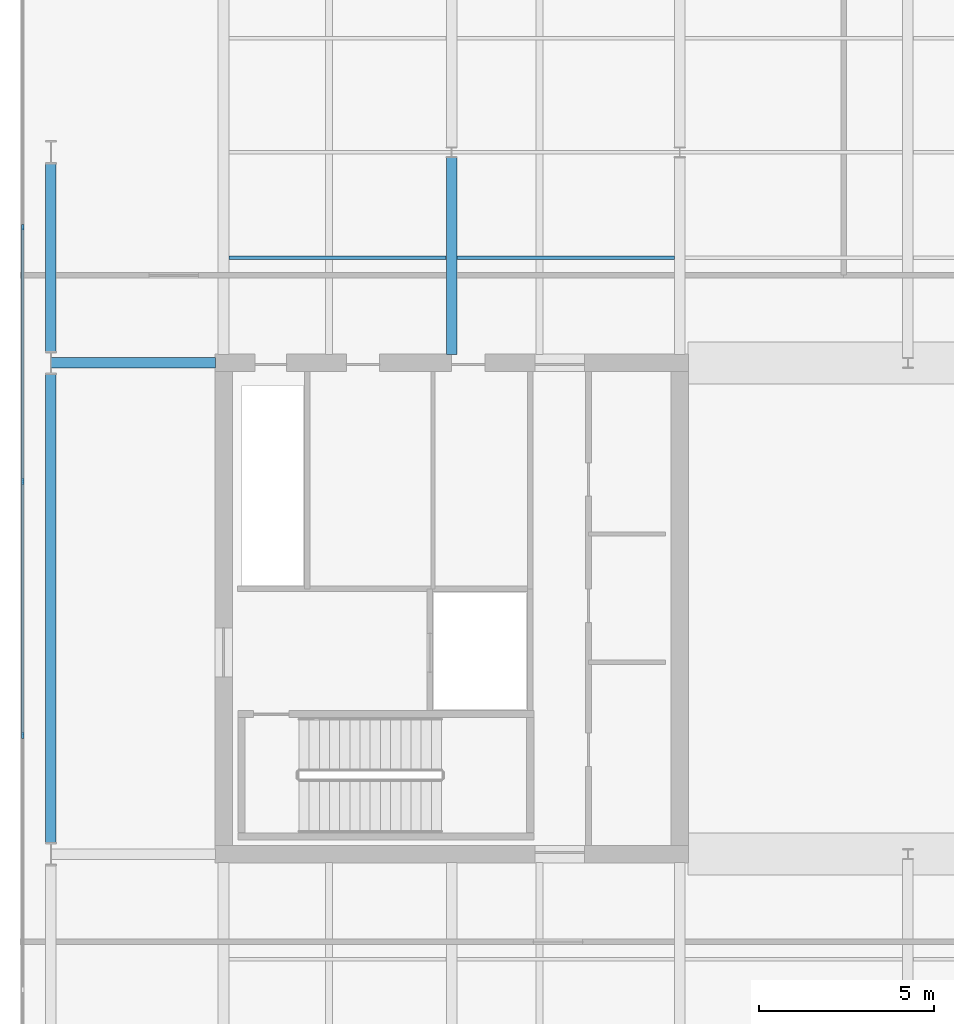
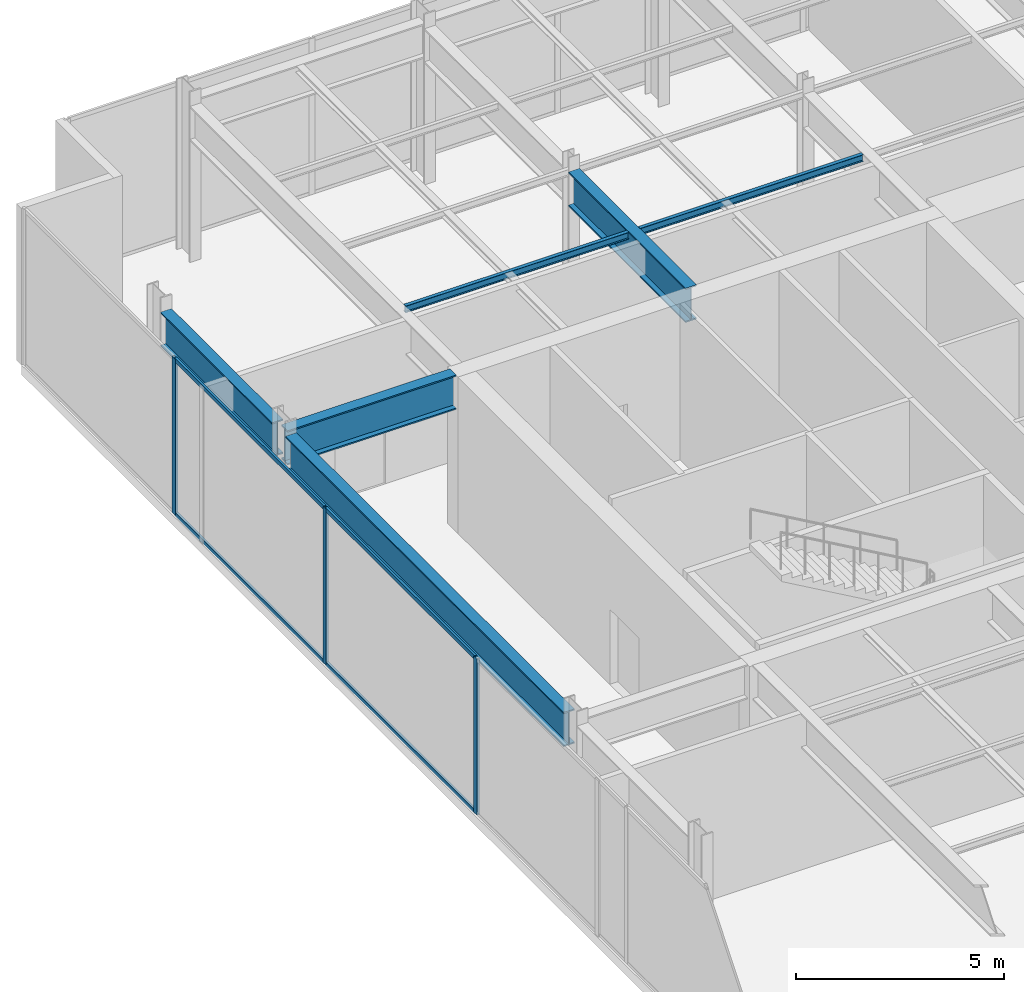
# One storey, part 7 of 21: 7 members, 6 beams, 1 element without a shape of its own.
"""IFC4 building model written with IfcOpenShell, lengths in metres."""

from ifc_helpers import new_model, si_unit, direction, frame, origin, origin_2d, place, context, subcontext, project, spatial, rectangle, i_section, extrude, material, layer, layer_set, material_profile, profile_set, type_object, element, aggregate, save


model = new_model("IFC4")

# Units and contexts
model_context = context("Model", 3, precision=1e-05, world=origin(), true_north=direction((0.0, 1.0)))
body_context = subcontext(model_context, "Body", "Model", "MODEL_VIEW")
ifc_project = project(units=[si_unit("LENGTHUNIT", "METRE"), si_unit("AREAUNIT", "SQUARE_METRE"), si_unit("VOLUMEUNIT", "CUBIC_METRE"), si_unit("PLANEANGLEUNIT", "RADIAN"), si_unit("MASSUNIT", "GRAM", prefix="KILO")], contexts=[model_context])

# Site, building, storey
site_placement = place(None, origin())
site = spatial("IfcSite", under=ifc_project, at=site_placement, CompositionType="ELEMENT")
building_placement = place(site_placement, origin())
building = spatial("IfcBuilding", under=site, at=building_placement, Name="Putna Gate Headquarters", CompositionType="ELEMENT")
storey_placement = place(building_placement, frame((0.0, 0.0, 315.39990234375)))
storey = spatial("IfcBuildingStorey", under=building, at=storey_placement, Name="L79", CompositionType="ELEMENT", Elevation=315.39990234375)

# Beams
ifc_material_1 = material(Name="Steel S355J2", Category="steel")
ifc_material_profile_1 = material_profile(ifc_material_1, i_section(OverallWidth=0.10009765625, OverallDepth=0.199951171875, WebThickness=0.005615234375, FlangeThickness=0.008544921875, at=origin_2d()), Name="Steel S355J2")
ifc_profile_set_1 = profile_set([ifc_material_profile_1], Name="Steel S355J2")
beam_type_1 = type_object("IfcBeamType", Name="BM-SEC-PLT-IPE200", PredefinedType="JOIST", material=ifc_profile_set_1)
for number, where, z_axis, x_axis, name in (
    (1, (13.155029296875, 36.0, 4.47998046875), (1.0, 0.0, 0.0), (0.0, 1.0, 0.0), "L79 North Secondary Beam 1"),
    (2, (19.655029296875, 36.0, 4.47998046875), (1.0, 0.0, 0.0), (0.0, 1.0, 0.0), "L79 North Secondary Beam 2"),
):
    element("IfcBeam", number, at=place(storey_placement, frame(where, z_axis=z_axis, x_axis=x_axis)), inside=storey, type_object=beam_type_1, Name=name, PredefinedType="JOIST", context=body_context, shape_type="SweptSolid", body=[
        extrude(i_section(OverallWidth=0.10009765625, OverallDepth=0.199951171875, WebThickness=0.005615234375, FlangeThickness=0.008544921875, at=origin_2d()), origin(), (0.0, 0.0, 1.0), 6.18994140625),
    ])
ifc_material_2 = material(Name="Steel S460M", Category="steel")
ifc_material_profile_2 = material_profile(ifc_material_2, i_section(OverallWidth=0.302001953125, OverallDepth=1.008056640625, WebThickness=0.02099609375, FlangeThickness=0.0400390625, at=origin_2d()), Name="Steel S460M")
ifc_profile_set_2 = profile_set([ifc_material_profile_2], Name="Steel S460M")
beam_type_2 = type_object("IfcBeamType", Name="BM-TG-HEM1000", PredefinedType="USERDEFINED", material=ifc_profile_set_2)
beam_1_placement = place(storey_placement, frame((8.0859375, 33.0, 4.076171875), z_axis=(1.0, 0.0, 0.0), x_axis=(0.0, 1.0, 0.0)))
element("IfcBeam", 3, at=beam_1_placement, inside=storey, type_object=beam_type_2, Name="L79 West Wing Girder Y33", ObjectType="GIRDER", PredefinedType="USERDEFINED", context=body_context, shape_type="SweptSolid", body=[
    extrude(i_section(OverallWidth=0.302001953125, OverallDepth=1.008056640625, WebThickness=0.02099609375, FlangeThickness=0.0400390625, at=origin_2d()), origin(), (0.0, 0.0, 1.0), 4.678955078125),
])
beam_2_placement = place(storey_placement, frame((19.5, 33.235107421875, 4.076171875), z_axis=(0.0, 1.0, 0.0), x_axis=(-1.0, 0.0, 0.0)))
element("IfcBeam", 4, at=beam_2_placement, inside=storey, type_object=beam_type_2, Name="L79 North Primary Girder X19-1", ObjectType="GIRDER", PredefinedType="USERDEFINED", context=body_context, shape_type="SweptSolid", body=[
    extrude(i_section(OverallWidth=0.302001953125, OverallDepth=1.008056640625, WebThickness=0.02099609375, FlangeThickness=0.0400390625, at=origin_2d()), origin(), (0.0, 0.0, 1.0), 5.626953125),
])
ifc_material_profile_3 = material_profile(ifc_material_2, i_section(OverallWidth=0.302001953125, OverallDepth=1.008056640625, WebThickness=0.02099609375, FlangeThickness=0.0400390625, at=origin_2d()), Name="Steel S460M")
ifc_profile_set_3 = profile_set([ifc_material_profile_3], Name="Steel S460M")
beam_type_3 = type_object("IfcBeamType", Name="BM-TG-HEM1000-EXT", PredefinedType="USERDEFINED", material=ifc_profile_set_3)
beam_3_placement = place(storey_placement, frame((8.080078125, 19.322021484375, 4.076171875), z_axis=(0.0, 1.0, 0.0), x_axis=(-1.0, 0.0, 0.0)))
element("IfcBeam", 5, at=beam_3_placement, inside=storey, type_object=beam_type_3, Name="L79 W End Spandrel 2", ObjectType="GIRDER", PredefinedType="USERDEFINED", context=body_context, shape_type="SweptSolid", body=[
    extrude(i_section(OverallWidth=0.302001953125, OverallDepth=1.008056640625, WebThickness=0.02099609375, FlangeThickness=0.0400390625, at=origin_2d()), origin(), (0.0, 0.0, 1.0), 13.35595703125),
])
beam_4_placement = place(storey_placement, frame((8.080078125, 33.322021484375, 4.076171875), z_axis=(0.0, 1.0, 0.0), x_axis=(-1.0, 0.0, 0.0)))
element("IfcBeam", 6, at=beam_4_placement, inside=storey, type_object=beam_type_3, Name="L79 W End Spandrel 3", ObjectType="GIRDER", PredefinedType="USERDEFINED", context=body_context, shape_type="SweptSolid", body=[
    extrude(i_section(OverallWidth=0.302001953125, OverallDepth=1.008056640625, WebThickness=0.02099609375, FlangeThickness=0.0400390625, at=origin_2d()), origin(), (0.0, 0.0, 1.0), 5.35595703125),
])

# Curtain wall, members
ifc_material_3 = material(Name="Anodised bronze aluminium curtain wall", Category="aluminium")
ifc_layer = layer(ifc_material_3, 0.159912109375)
ifc_layer_set = layer_set([ifc_layer], Name="Anodised bronze aluminium curtain wall")
curtain_wall_type = type_object("IfcCurtainWallType", Name="CW-SYS-CRN", PredefinedType="USERDEFINED", material=ifc_layer_set)
curtain_wall_placement = place(storey_placement, origin())
curtain_wall = element("IfcCurtainWall", 7, at=curtain_wall_placement, inside=storey, type_object=curtain_wall_type, Name="L79 Acoustic Louvre West Enclosure", ObjectType="STICK CURTAIN WALL", PredefinedType="USERDEFINED")
ifc_material_4 = material(Name="Anodised bronze aluminium EN AW-6060", Category="aluminium")
ifc_material_profile_4 = material_profile(ifc_material_4, rectangle(XDim=0.06494140625, YDim=0.159912109375, at=origin_2d()), Name="Anodised bronze aluminium EN AW-6060")
ifc_profile_set_4 = profile_set([ifc_material_profile_4], Name="Anodised bronze aluminium EN AW-6060")
member_type_1 = type_object("IfcMemberType", Name="MULL-CWM-CR", PredefinedType="MULLION", material=ifc_profile_set_4)
member_1_placement = place(storey_placement, frame((7.280029296875, 22.3798828125, 0.0), z_axis=(0.0, 0.0, 1.0), x_axis=(-1.0, 0.0, 0.0)))
member_1 = element("IfcMember", 8, at=member_1_placement, type_object=member_type_1, Name="CWS-CR mullion 3", PredefinedType="MULLION", context=body_context, shape_type="SweptSolid", body=[
    extrude(rectangle(XDim=0.06494140625, YDim=0.159912109375, at=origin_2d()), origin(), (0.0, 0.0, 1.0), 4.580078125),
])
member_2_placement = place(storey_placement, frame((7.280029296875, 29.6201171875, 0.0), z_axis=(0.0, 0.0, 1.0), x_axis=(-1.0, 0.0, 0.0)))
member_2 = element("IfcMember", 9, at=member_2_placement, type_object=member_type_1, Name="CWS-CR mullion 4", PredefinedType="MULLION", context=body_context, shape_type="SweptSolid", body=[
    extrude(rectangle(XDim=0.06494140625, YDim=0.159912109375, at=origin_2d()), origin(), (0.0, 0.0, 1.0), 4.580078125),
])
member_3_placement = place(storey_placement, frame((7.280029296875, 36.860107421875, 0.0), z_axis=(0.0, 0.0, 1.0), x_axis=(-1.0, 0.0, 0.0)))
member_3 = element("IfcMember", 10, at=member_3_placement, type_object=member_type_1, Name="CWS-CR mullion 5", PredefinedType="MULLION", context=body_context, shape_type="SweptSolid", body=[
    extrude(rectangle(XDim=0.06494140625, YDim=0.159912109375, at=origin_2d()), origin(), (0.0, 0.0, 1.0), 4.580078125),
])
ifc_material_profile_5 = material_profile(ifc_material_4, rectangle(XDim=0.06494140625, YDim=0.1201171875, at=origin_2d()), Name="Anodised bronze aluminium EN AW-6060")
ifc_profile_set_5 = profile_set([ifc_material_profile_5], Name="Anodised bronze aluminium EN AW-6060")
member_type_2 = type_object("IfcMemberType", Name="TRAN-CWT-CR", PredefinedType="USERDEFINED", material=ifc_profile_set_5)
member_4_placement = place(storey_placement, frame((7.280029296875, 22.41259765625, 0.03271484375), z_axis=(0.0, 1.0, 0.0), x_axis=(-1.0, 0.0, 0.0)))
member_4 = element("IfcMember", 11, at=member_4_placement, type_object=member_type_2, Name="CWS-CR transom 3.1", ObjectType="TRANSOM", PredefinedType="USERDEFINED", context=body_context, shape_type="SweptSolid", body=[
    extrude(rectangle(XDim=0.06494140625, YDim=0.1201171875, at=origin_2d()), origin(), (0.0, 0.0, 1.0), 7.1748046875),
])
member_5_placement = place(storey_placement, frame((7.280029296875, 22.41259765625, 4.547607421875), z_axis=(0.0, 1.0, 0.0), x_axis=(-1.0, 0.0, 0.0)))
member_5 = element("IfcMember", 12, at=member_5_placement, type_object=member_type_2, Name="CWS-CR transom 3.2", ObjectType="TRANSOM", PredefinedType="USERDEFINED", context=body_context, shape_type="SweptSolid", body=[
    extrude(rectangle(XDim=0.06494140625, YDim=0.1201171875, at=origin_2d()), origin(), (0.0, 0.0, 1.0), 7.1748046875),
])
member_6_placement = place(storey_placement, frame((7.280029296875, 29.652587890625, 0.03271484375), z_axis=(0.0, 1.0, 0.0), x_axis=(-1.0, 0.0, 0.0)))
member_6 = element("IfcMember", 13, at=member_6_placement, type_object=member_type_2, Name="CWS-CR transom 4.1", ObjectType="TRANSOM", PredefinedType="USERDEFINED", context=body_context, shape_type="SweptSolid", body=[
    extrude(rectangle(XDim=0.06494140625, YDim=0.1201171875, at=origin_2d()), origin(), (0.0, 0.0, 1.0), 7.1748046875),
])
member_7_placement = place(storey_placement, frame((7.280029296875, 29.652587890625, 4.547607421875), z_axis=(0.0, 1.0, 0.0), x_axis=(-1.0, 0.0, 0.0)))
member_7 = element("IfcMember", 14, at=member_7_placement, type_object=member_type_2, Name="CWS-CR transom 4.2", ObjectType="TRANSOM", PredefinedType="USERDEFINED", context=body_context, shape_type="SweptSolid", body=[
    extrude(rectangle(XDim=0.06494140625, YDim=0.1201171875, at=origin_2d()), origin(), (0.0, 0.0, 1.0), 7.1748046875),
])
aggregate(curtain_wall, [member_1, member_2, member_3, member_4, member_5, member_6, member_7])

save(model, "model.ifc")
